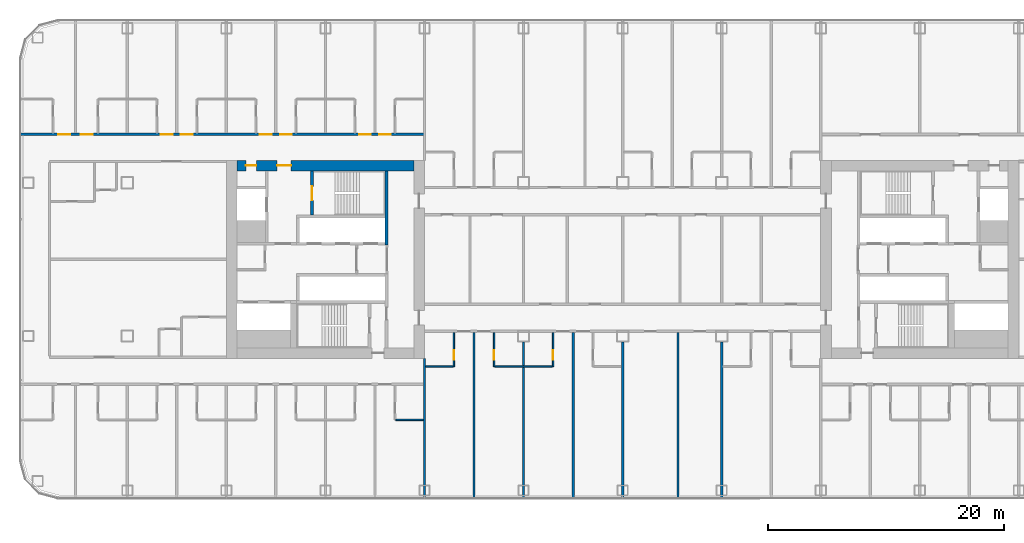
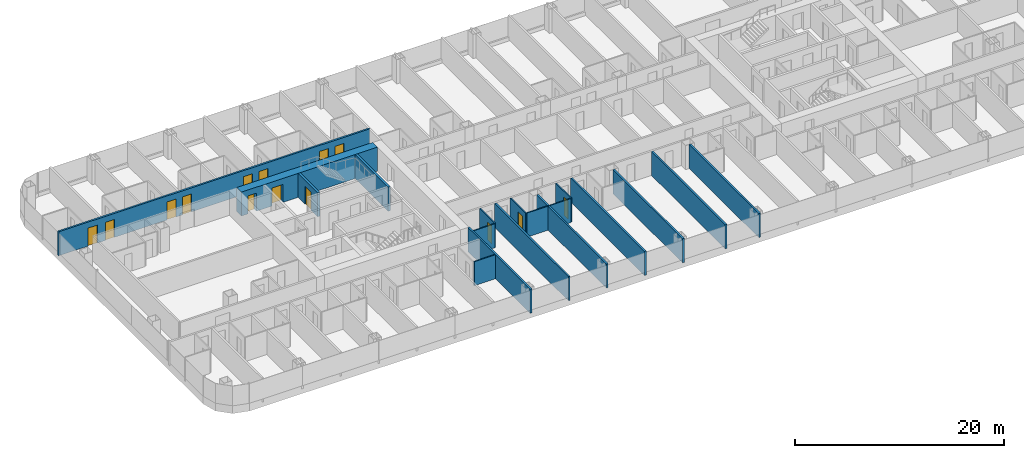
# One storey, part 15 of 29: 17 walls, 14 doors, 14 openings.
"""IFC4 building model written with IfcOpenShell, lengths in metres."""

from ifc_helpers import new_model, si_unit, direction, frame, frame_2d, origin, place, context, subcontext, project, spatial, rectangle, extrude, material, layer, layer_set, type_object, element, fill, save


model = new_model("IFC4")

# Units and contexts
model_context = context("Model", 3, precision=1e-05, world=origin(), true_north=direction((0.0, 1.0)))
body_context = subcontext(model_context, "Body", "Model", "MODEL_VIEW")
ifc_project = project(units=[si_unit("LENGTHUNIT", "METRE"), si_unit("AREAUNIT", "SQUARE_METRE"), si_unit("VOLUMEUNIT", "CUBIC_METRE"), si_unit("PLANEANGLEUNIT", "RADIAN"), si_unit("MASSUNIT", "GRAM", prefix="KILO")], contexts=[model_context])

# Site, building, storey
site_placement = place(None, origin())
site = spatial("IfcSite", under=ifc_project, at=site_placement, CompositionType="ELEMENT")
building_placement = place(site_placement, origin())
building = spatial("IfcBuilding", under=site, at=building_placement, Name="Hakoniwa Tower and Hamabe Station Hall", CompositionType="ELEMENT")
storey_placement = place(building_placement, frame((0.0, 0.0, 55.0)))
storey = spatial("IfcBuildingStorey", under=building, at=storey_placement, Name="L15", CompositionType="ELEMENT", Elevation=55.0)

# Walls
ifc_material_1 = material(Name="Gypsum board partition", Category="gypsum")
ifc_layer_1 = layer(ifc_material_1, 0.125)
ifc_layer_set_1 = layer_set([ifc_layer_1], Name="Bathroom Partition 125")
wall_type_1 = type_object("IfcWallType", Name="Bathroom Partition 125", PredefinedType="PARTITIONING", material=ifc_layer_set_1)
wall_1_placement = place(storey_placement, frame((-19.237548828125, -13.60009765625, 0.0), z_axis=(0.0, 0.0, 1.0), x_axis=(1.0, 0.0, 0.0)))
element("IfcWall", 1, at=wall_1_placement, inside=storey, type_object=wall_type_1, Name="GW-L15-005", PredefinedType="PARTITIONING", context=body_context, shape_type="SweptSolid", body=[
    extrude(rectangle(XDim=2.337646484375, YDim=0.125, at=frame_2d((1.1689453125, 0.0))), origin(), (0.0, 0.0, 1.0), 2.800048828125),
])
wall_2_placement = place(storey_placement, frame((-16.699951171875, -9.10009765625, 0.0), z_axis=(0.0, 0.0, 1.0), x_axis=(1.0, 0.0, 0.0)))
element("IfcWall", 2, at=wall_2_placement, inside=storey, type_object=wall_type_1, Name="GW-L15-013", PredefinedType="PARTITIONING", context=body_context, shape_type="SweptSolid", body=[
    extrude(rectangle(XDim=2.33740234375, YDim=0.125, at=frame_2d((1.168701171875, 0.0))), origin(), (0.0, 0.0, 1.0), 2.800048828125),
])
wall_3_placement = place(storey_placement, frame((-10.83740234375, -9.10009765625, 0.0), z_axis=(0.0, 0.0, 1.0), x_axis=(1.0, 0.0, 0.0)))
element("IfcWall", 3, at=wall_3_placement, inside=storey, type_object=wall_type_1, Name="GW-L15-014", PredefinedType="PARTITIONING", context=body_context, shape_type="SweptSolid", body=[
    extrude(rectangle(XDim=4.875, YDim=0.125, at=frame_2d((2.4375, 0.0))), origin(), (0.0, 0.0, 1.0), 2.800048828125),
])

# Wall, opening, door
wall_4_placement = place(storey_placement, frame((-14.300048828125, -9.10009765625, 0.0), z_axis=(0.0, 0.0, 1.0), x_axis=(0.0, 1.0, 0.0)))
wall_4 = element("IfcWall", 4, at=wall_4_placement, inside=storey, type_object=wall_type_1, Name="GW-L15-084", PredefinedType="PARTITIONING", context=body_context, shape_type="SweptSolid", body=[
    extrude(rectangle(XDim=2.900146484375, YDim=0.125, at=frame_2d((1.4501953125, 0.0))), origin(), (0.0, 0.0, 1.0), 2.800048828125),
])
opening_1_placement = place(wall_4_placement, frame((0.60009765625, 0.0, 0.0)))
opening_1 = element("IfcOpeningElement", 5, at=opening_1_placement, cuts=wall_4, Name="Opening GD-G1B2-83", PredefinedType="OPENING", context=body_context, shape_type="SweptSolid", body=[
    extrude(rectangle(XDim=0.800048828125, YDim=2.10009765625, at=frame_2d((0.39990234375, 1.050048828125))), frame((0.0, 0.072509765625, 0.0), z_axis=(0.0, -1.0, 0.0), x_axis=(1.0, 0.0, 0.0)), (0.0, 0.0, 1.0), 0.14501953125),
])
ifc_material_2 = material(Name="Timber door leaf", Category="wood")
door_type_1 = type_object("IfcDoorType", Name="Bathroom Door 800", OperationType="SINGLE_SWING_LEFT", PredefinedType="DOOR", material=ifc_material_2)
door_1_placement = place(opening_1_placement, origin())
door_1 = element("IfcDoor", 6, at=door_1_placement, inside=storey, type_object=door_type_1, Name="Door GD-G1B2-83", OperationType="SINGLE_SWING_RIGHT", OverallHeight=2.10009765625, OverallWidth=0.800048828125, PredefinedType="DOOR", context=body_context, shape_type="SweptSolid", body=[
    extrude(rectangle(XDim=0.800048828125, YDim=2.10009765625, at=frame_2d((0.39990234375, 1.050048828125))), frame((0.0, 0.02490234375, 0.0), z_axis=(0.0, -1.0, 0.0), x_axis=(1.0, 0.0, 0.0)), (0.0, 0.0, 1.0), 0.050048828125),
])
fill(opening_1, door_1)

wall_5_placement = place(storey_placement, frame((-10.89990234375, -9.10009765625, 0.0), z_axis=(0.0, 0.0, 1.0), x_axis=(0.0, 1.0, 0.0)))
wall_5 = element("IfcWall", 7, at=wall_5_placement, inside=storey, type_object=wall_type_1, Name="GW-L15-089", PredefinedType="PARTITIONING", context=body_context, shape_type="SweptSolid", body=[
    extrude(rectangle(XDim=2.900146484375, YDim=0.125, at=frame_2d((1.4501953125, 0.0))), origin(), (0.0, 0.0, 1.0), 2.800048828125),
])
opening_2_placement = place(wall_5_placement, frame((0.60009765625, 0.0, 0.0)))
opening_2 = element("IfcOpeningElement", 8, at=opening_2_placement, cuts=wall_5, Name="Opening GD-G1B2-85", PredefinedType="OPENING", context=body_context, shape_type="SweptSolid", body=[
    extrude(rectangle(XDim=0.800048828125, YDim=2.10009765625, at=frame_2d((0.39990234375, 1.050048828125))), frame((0.0, 0.072509765625, 0.0), z_axis=(0.0, -1.0, 0.0), x_axis=(1.0, 0.0, 0.0)), (0.0, 0.0, 1.0), 0.14501953125),
])
door_2_placement = place(opening_2_placement, origin())
door_2 = element("IfcDoor", 9, at=door_2_placement, inside=storey, type_object=door_type_1, Name="Door GD-G1B2-85", OperationType="SINGLE_SWING_LEFT", OverallHeight=2.10009765625, OverallWidth=0.800048828125, PredefinedType="DOOR", context=body_context, shape_type="SweptSolid", body=[
    extrude(rectangle(XDim=0.800048828125, YDim=2.10009765625, at=frame_2d((0.39990234375, 1.050048828125))), frame((0.0, 0.02490234375, 0.0), z_axis=(0.0, -1.0, 0.0), x_axis=(1.0, 0.0, 0.0)), (0.0, 0.0, 1.0), 0.050048828125),
])
fill(opening_2, door_2)

wall_6_placement = place(storey_placement, frame((-5.89990234375, -9.10009765625, 0.0), z_axis=(0.0, 0.0, 1.0), x_axis=(0.0, 1.0, 0.0)))
wall_6 = element("IfcWall", 10, at=wall_6_placement, inside=storey, type_object=wall_type_1, Name="GW-L15-094", PredefinedType="PARTITIONING", context=body_context, shape_type="SweptSolid", body=[
    extrude(rectangle(XDim=2.900146484375, YDim=0.125, at=frame_2d((1.4501953125, 0.0))), origin(), (0.0, 0.0, 1.0), 2.800048828125),
])
opening_3_placement = place(wall_6_placement, frame((0.60009765625, 0.0, 0.0)))
opening_3 = element("IfcOpeningElement", 11, at=opening_3_placement, cuts=wall_6, Name="Opening GD-G1B2-87", PredefinedType="OPENING", context=body_context, shape_type="SweptSolid", body=[
    extrude(rectangle(XDim=0.800048828125, YDim=2.10009765625, at=frame_2d((0.39990234375, 1.050048828125))), frame((0.0, 0.072509765625, 0.0), z_axis=(0.0, -1.0, 0.0), x_axis=(1.0, 0.0, 0.0)), (0.0, 0.0, 1.0), 0.14501953125),
])
door_3_placement = place(opening_3_placement, origin())
door_3 = element("IfcDoor", 12, at=door_3_placement, inside=storey, type_object=door_type_1, Name="Door GD-G1B2-87", OperationType="SINGLE_SWING_RIGHT", OverallHeight=2.10009765625, OverallWidth=0.800048828125, PredefinedType="DOOR", context=body_context, shape_type="SweptSolid", body=[
    extrude(rectangle(XDim=0.800048828125, YDim=2.10009765625, at=frame_2d((0.39990234375, 1.050048828125))), frame((0.0, 0.02490234375, 0.0), z_axis=(0.0, -1.0, 0.0), x_axis=(1.0, 0.0, 0.0)), (0.0, 0.0, 1.0), 0.050048828125),
])
fill(opening_3, door_3)

# Wall, openings, doors
ifc_material_3 = material(Name="Concrete C80", Category="concrete")
ifc_layer_2 = layer(ifc_material_3, 0.89990234375)
ifc_layer_set_2 = layer_set([ifc_layer_2], Name="CORE WALL 900 C80")
wall_type_2 = type_object("IfcWallType", Name="CORE WALL 900 C80", PredefinedType="SHEAR", material=ifc_layer_set_2)
wall_7_placement = place(storey_placement, frame((-32.699951171875, 7.949951171875, 0.0), z_axis=(0.0, 0.0, 1.0), x_axis=(1.0, 0.0, 0.0)))
wall_7 = element("IfcWall", 13, at=wall_7_placement, inside=storey, type_object=wall_type_2, Name="Core wall NORTH west", PredefinedType="SHEAR", context=body_context, shape_type="SweptSolid", body=[
    extrude(rectangle(XDim=15.0, YDim=0.89990234375, at=frame_2d((7.5, 0.0))), origin(), (0.0, 0.0, 1.0), 2.800048828125),
])
opening_4_placement = place(wall_7_placement, frame((3.39990234375, 0.0, 0.0)))
opening_4 = element("IfcOpeningElement", 14, at=opening_4_placement, cuts=wall_7, Name="Opening CD-W-FN1-12", PredefinedType="OPENING", context=body_context, shape_type="SweptSolid", body=[
    extrude(rectangle(XDim=1.199951171875, YDim=2.10009765625, at=frame_2d((0.60009765625, 1.050048828125))), frame((0.0, 0.4599609375, 0.0), z_axis=(0.0, -1.0, 0.0), x_axis=(1.0, 0.0, 0.0)), (0.0, 0.0, 1.0), 0.919921875),
])
opening_5_placement = place(wall_7_placement, frame((0.75, 0.0, 0.0)))
opening_5 = element("IfcOpeningElement", 15, at=opening_5_placement, cuts=wall_7, Name="Opening CD-W-FN2-9", PredefinedType="OPENING", context=body_context, shape_type="SweptSolid", body=[
    extrude(rectangle(XDim=0.89990234375, YDim=2.10009765625, at=frame_2d((0.449951171875, 1.050048828125))), frame((0.0, 0.4599609375, 0.0), z_axis=(0.0, -1.0, 0.0), x_axis=(1.0, 0.0, 0.0)), (0.0, 0.0, 1.0), 0.919921875),
])
ifc_material_4 = material(Name="Steel fire door", Category="steel")
door_type_2 = type_object("IfcDoorType", Name="CORE DOOR 1200 FD60", OperationType="DOUBLE_DOOR_SINGLE_SWING", PredefinedType="DOOR", material=ifc_material_4)
door_4_placement = place(opening_4_placement, origin())
door_4 = element("IfcDoor", 16, at=door_4_placement, inside=storey, type_object=door_type_2, Name="Stair vestibule door to the fire-fighting lobby", OperationType="DOUBLE_DOOR_SINGLE_SWING", OverallHeight=2.10009765625, OverallWidth=1.199951171875, PredefinedType="DOOR", context=body_context, shape_type="SweptSolid", body=[
    extrude(rectangle(XDim=1.199951171875, YDim=2.10009765625, at=frame_2d((0.60009765625, 1.050048828125))), frame((0.0, 0.02490234375, 0.0), z_axis=(0.0, -1.0, 0.0), x_axis=(1.0, 0.0, 0.0)), (0.0, 0.0, 1.0), 0.050048828125),
])
fill(opening_4, door_4)
ifc_material_5 = material(Name="Steel fire door", Category="steel")
door_type_3 = type_object("IfcDoorType", Name="CORE DOOR 900 FD30", OperationType="NOTDEFINED", PredefinedType="DOOR", material=ifc_material_5)
door_5_placement = place(opening_5_placement, origin())
door_5 = element("IfcDoor", 17, at=door_5_placement, inside=storey, type_object=door_type_3, Name="Riser access door", OperationType="SINGLE_SWING_RIGHT", OverallHeight=2.10009765625, OverallWidth=0.89990234375, PredefinedType="DOOR", context=body_context, shape_type="SweptSolid", body=[
    extrude(rectangle(XDim=0.89990234375, YDim=2.10009765625, at=frame_2d((0.449951171875, 1.050048828125))), frame((0.0, 0.02490234375, 0.0), z_axis=(0.0, -1.0, 0.0), x_axis=(1.0, 0.0, 0.0)), (0.0, 0.0, 1.0), 0.050048828125),
])
fill(opening_5, door_5)

# Wall
ifc_material_6 = material(Name="Concrete C80", Category="concrete")
ifc_layer_3 = layer(ifc_material_6, 0.25)
ifc_layer_set_3 = layer_set([ifc_layer_3], Name="CORE WEB WALL 250 C80")
wall_type_3 = type_object("IfcWallType", Name="CORE WEB WALL 250 C80", PredefinedType="SHEAR", material=ifc_layer_set_3)
wall_8_placement = place(storey_placement, frame((-20.02490234375, 1.199951171875, 0.0), z_axis=(0.0, 0.0, 1.0), x_axis=(0.0, 1.0, 0.0)))
element("IfcWall", 18, at=wall_8_placement, inside=storey, type_object=wall_type_3, Name="Core wall W1N west", PredefinedType="SHEAR", context=body_context, shape_type="SweptSolid", body=[
    extrude(rectangle(XDim=6.300048828125, YDim=0.25, at=frame_2d((3.14990234375, 0.0))), origin(), (0.0, 0.0, 1.0), 2.800048828125),
])

# Wall, opening, door
wall_9_placement = place(storey_placement, frame((-26.324951171875, 3.75, 0.0), z_axis=(0.0, 0.0, 1.0), x_axis=(0.0, 1.0, 0.0)))
wall_9 = element("IfcWall", 19, at=wall_9_placement, inside=storey, type_object=wall_type_3, Name="Core wall NSE west", PredefinedType="SHEAR", context=body_context, shape_type="SweptSolid", body=[
    extrude(rectangle(XDim=3.75, YDim=0.25, at=frame_2d((1.875, 0.0))), origin(), (0.0, 0.0, 1.0), 2.800048828125),
])
opening_6_placement = place(wall_9_placement, frame((1.25, 0.0, 0.0)))
opening_6 = element("IfcOpeningElement", 20, at=opening_6_placement, cuts=wall_9, Name="Opening CD-W-SN-12", PredefinedType="OPENING", context=body_context, shape_type="SweptSolid", body=[
    extrude(rectangle(XDim=1.199951171875, YDim=2.10009765625, at=frame_2d((0.60009765625, 1.050048828125))), frame((0.0, 0.135009765625, 0.0), z_axis=(0.0, -1.0, 0.0), x_axis=(1.0, 0.0, 0.0)), (0.0, 0.0, 1.0), 0.27001953125),
])
door_6_placement = place(opening_6_placement, origin())
door_6 = element("IfcDoor", 21, at=door_6_placement, inside=storey, type_object=door_type_2, Name="Escape stair door", OperationType="DOUBLE_DOOR_SINGLE_SWING", OverallHeight=2.10009765625, OverallWidth=1.199951171875, PredefinedType="DOOR", context=body_context, shape_type="SweptSolid", body=[
    extrude(rectangle(XDim=1.199951171875, YDim=2.10009765625, at=frame_2d((0.60009765625, 1.050048828125))), frame((0.0, 0.02490234375, 0.0), z_axis=(0.0, -1.0, 0.0), x_axis=(1.0, 0.0, 0.0)), (0.0, 0.0, 1.0), 0.050048828125),
])
fill(opening_6, door_6)

# Wall, openings, doors
ifc_material_7 = material(Name="Fire-rated gypsum board partition", Category="gypsum")
ifc_layer_4 = layer(ifc_material_7, 0.199951171875)
ifc_layer_set_4 = layer_set([ifc_layer_4], Name="Corridor Wall 200")
wall_type_4 = type_object("IfcWallType", Name="Corridor Wall 200", PredefinedType="PARTITIONING", material=ifc_layer_set_4)
wall_10_placement = place(storey_placement, frame((-51.10009765625, 10.60009765625, 0.0), z_axis=(0.0, 0.0, 1.0), x_axis=(1.0, 0.0, 0.0)))
wall_10 = element("IfcWall", 22, at=wall_10_placement, inside=storey, type_object=wall_type_4, Name="GW-L15-040", PredefinedType="PARTITIONING", context=body_context, shape_type="SweptSolid", body=[
    extrude(rectangle(XDim=34.300048828125, YDim=0.199951171875, at=frame_2d((17.14990234375, 0.0))), origin(), (0.0, 0.0, 1.0), 2.800048828125),
])
opening_7_placement = place(wall_10_placement, frame((3.25, 0.0, 0.0)))
opening_7 = element("IfcOpeningElement", 23, at=opening_7_placement, cuts=wall_10, Name="Opening GD-G1B2-55", PredefinedType="OPENING", context=body_context, shape_type="SweptSolid", body=[
    extrude(rectangle(XDim=1.0, YDim=2.10009765625, at=frame_2d((0.5, 1.050048828125))), frame((0.0, 0.10986328125, 0.0), z_axis=(0.0, -1.0, 0.0), x_axis=(1.0, 0.0, 0.0)), (0.0, 0.0, 1.0), 0.219970703125),
])
opening_8_placement = place(wall_10_placement, frame((5.14990234375, 0.0, 0.0)))
opening_8 = element("IfcOpeningElement", 24, at=opening_8_placement, cuts=wall_10, Name="Opening GD-G1B2-56", PredefinedType="OPENING", context=body_context, shape_type="SweptSolid", body=[
    extrude(rectangle(XDim=1.0, YDim=2.10009765625, at=frame_2d((0.5, 1.050048828125))), frame((0.0, 0.10986328125, 0.0), z_axis=(0.0, -1.0, 0.0), x_axis=(1.0, 0.0, 0.0)), (0.0, 0.0, 1.0), 0.219970703125),
])
opening_9_placement = place(wall_10_placement, frame((11.949951171875, 0.0, 0.0)))
opening_9 = element("IfcOpeningElement", 25, at=opening_9_placement, cuts=wall_10, Name="Opening GD-G1B2-57", PredefinedType="OPENING", context=body_context, shape_type="SweptSolid", body=[
    extrude(rectangle(XDim=1.0, YDim=2.10009765625, at=frame_2d((0.5, 1.050048828125))), frame((0.0, 0.10986328125, 0.0), z_axis=(0.0, -1.0, 0.0), x_axis=(1.0, 0.0, 0.0)), (0.0, 0.0, 1.0), 0.219970703125),
])
opening_10_placement = place(wall_10_placement, frame((13.64990234375, 0.0, 0.0)))
opening_10 = element("IfcOpeningElement", 26, at=opening_10_placement, cuts=wall_10, Name="Opening GD-G1B2-58", PredefinedType="OPENING", context=body_context, shape_type="SweptSolid", body=[
    extrude(rectangle(XDim=1.0, YDim=2.10009765625, at=frame_2d((0.5, 1.050048828125))), frame((0.0, 0.10986328125, 0.0), z_axis=(0.0, -1.0, 0.0), x_axis=(1.0, 0.0, 0.0)), (0.0, 0.0, 1.0), 0.219970703125),
])
opening_11_placement = place(wall_10_placement, frame((20.35009765625, 0.0, 0.0)))
opening_11 = element("IfcOpeningElement", 27, at=opening_11_placement, cuts=wall_10, Name="Opening GD-G1B2-59", PredefinedType="OPENING", context=body_context, shape_type="SweptSolid", body=[
    extrude(rectangle(XDim=1.0, YDim=2.10009765625, at=frame_2d((0.5, 1.050048828125))), frame((0.0, 0.10986328125, 0.0), z_axis=(0.0, -1.0, 0.0), x_axis=(1.0, 0.0, 0.0)), (0.0, 0.0, 1.0), 0.219970703125),
])
opening_12_placement = place(wall_10_placement, frame((22.050048828125, 0.0, 0.0)))
opening_12 = element("IfcOpeningElement", 28, at=opening_12_placement, cuts=wall_10, Name="Opening GD-G1B2-60", PredefinedType="OPENING", context=body_context, shape_type="SweptSolid", body=[
    extrude(rectangle(XDim=1.0, YDim=2.10009765625, at=frame_2d((0.5, 1.050048828125))), frame((0.0, 0.10986328125, 0.0), z_axis=(0.0, -1.0, 0.0), x_axis=(1.0, 0.0, 0.0)), (0.0, 0.0, 1.0), 0.219970703125),
])
opening_13_placement = place(wall_10_placement, frame((28.75, 0.0, 0.0)))
opening_13 = element("IfcOpeningElement", 29, at=opening_13_placement, cuts=wall_10, Name="Opening GD-G1B2-61", PredefinedType="OPENING", context=body_context, shape_type="SweptSolid", body=[
    extrude(rectangle(XDim=1.0, YDim=2.10009765625, at=frame_2d((0.5, 1.050048828125))), frame((0.0, 0.10986328125, 0.0), z_axis=(0.0, -1.0, 0.0), x_axis=(1.0, 0.0, 0.0)), (0.0, 0.0, 1.0), 0.219970703125),
])
opening_14_placement = place(wall_10_placement, frame((30.449951171875, 0.0, 0.0)))
opening_14 = element("IfcOpeningElement", 30, at=opening_14_placement, cuts=wall_10, Name="Opening GD-G1B2-62", PredefinedType="OPENING", context=body_context, shape_type="SweptSolid", body=[
    extrude(rectangle(XDim=1.0, YDim=2.10009765625, at=frame_2d((0.5, 1.050048828125))), frame((0.0, 0.10986328125, 0.0), z_axis=(0.0, -1.0, 0.0), x_axis=(1.0, 0.0, 0.0)), (0.0, 0.0, 1.0), 0.219970703125),
])
ifc_material_8 = material(Name="Timber door leaf", Category="wood")
door_type_4 = type_object("IfcDoorType", Name="Guest Entrance Door 1000", OperationType="SINGLE_SWING_LEFT", PredefinedType="DOOR", material=ifc_material_8)
door_7_placement = place(opening_7_placement, origin())
door_7 = element("IfcDoor", 31, at=door_7_placement, inside=storey, type_object=door_type_4, Name="Door GD-G1B2-55", OperationType="SINGLE_SWING_LEFT", OverallHeight=2.10009765625, OverallWidth=1.0, PredefinedType="DOOR", context=body_context, shape_type="SweptSolid", body=[
    extrude(rectangle(XDim=1.0, YDim=2.10009765625, at=frame_2d((0.5, 1.050048828125))), frame((0.0, 0.02490234375, 0.0), z_axis=(0.0, -1.0, 0.0), x_axis=(1.0, 0.0, 0.0)), (0.0, 0.0, 1.0), 0.050048828125),
])
fill(opening_7, door_7)
door_8_placement = place(opening_8_placement, origin())
door_8 = element("IfcDoor", 32, at=door_8_placement, inside=storey, type_object=door_type_4, Name="Door GD-G1B2-56", OperationType="SINGLE_SWING_RIGHT", OverallHeight=2.10009765625, OverallWidth=1.0, PredefinedType="DOOR", context=body_context, shape_type="SweptSolid", body=[
    extrude(rectangle(XDim=1.0, YDim=2.10009765625, at=frame_2d((0.5, 1.050048828125))), frame((0.0, 0.02490234375, 0.0), z_axis=(0.0, -1.0, 0.0), x_axis=(1.0, 0.0, 0.0)), (0.0, 0.0, 1.0), 0.050048828125),
])
fill(opening_8, door_8)
door_9_placement = place(opening_9_placement, origin())
door_9 = element("IfcDoor", 33, at=door_9_placement, inside=storey, type_object=door_type_4, Name="Door GD-G1B2-57", OperationType="SINGLE_SWING_LEFT", OverallHeight=2.10009765625, OverallWidth=1.0, PredefinedType="DOOR", context=body_context, shape_type="SweptSolid", body=[
    extrude(rectangle(XDim=1.0, YDim=2.10009765625, at=frame_2d((0.5, 1.050048828125))), frame((0.0, 0.02490234375, 0.0), z_axis=(0.0, -1.0, 0.0), x_axis=(1.0, 0.0, 0.0)), (0.0, 0.0, 1.0), 0.050048828125),
])
fill(opening_9, door_9)
door_10_placement = place(opening_10_placement, origin())
door_10 = element("IfcDoor", 34, at=door_10_placement, inside=storey, type_object=door_type_4, Name="Door GD-G1B2-58", OperationType="SINGLE_SWING_RIGHT", OverallHeight=2.10009765625, OverallWidth=1.0, PredefinedType="DOOR", context=body_context, shape_type="SweptSolid", body=[
    extrude(rectangle(XDim=1.0, YDim=2.10009765625, at=frame_2d((0.5, 1.050048828125))), frame((0.0, 0.02490234375, 0.0), z_axis=(0.0, -1.0, 0.0), x_axis=(1.0, 0.0, 0.0)), (0.0, 0.0, 1.0), 0.050048828125),
])
fill(opening_10, door_10)
door_11_placement = place(opening_11_placement, origin())
door_11 = element("IfcDoor", 35, at=door_11_placement, inside=storey, type_object=door_type_4, Name="Door GD-G1B2-59", OperationType="SINGLE_SWING_LEFT", OverallHeight=2.10009765625, OverallWidth=1.0, PredefinedType="DOOR", context=body_context, shape_type="SweptSolid", body=[
    extrude(rectangle(XDim=1.0, YDim=2.10009765625, at=frame_2d((0.5, 1.050048828125))), frame((0.0, 0.02490234375, 0.0), z_axis=(0.0, -1.0, 0.0), x_axis=(1.0, 0.0, 0.0)), (0.0, 0.0, 1.0), 0.050048828125),
])
fill(opening_11, door_11)
door_12_placement = place(opening_12_placement, origin())
door_12 = element("IfcDoor", 36, at=door_12_placement, inside=storey, type_object=door_type_4, Name="Door GD-G1B2-60", OperationType="SINGLE_SWING_LEFT", OverallHeight=2.10009765625, OverallWidth=1.0, PredefinedType="DOOR", context=body_context, shape_type="SweptSolid", body=[
    extrude(rectangle(XDim=1.0, YDim=2.10009765625, at=frame_2d((0.5, 1.050048828125))), frame((0.0, 0.02490234375, 0.0), z_axis=(0.0, -1.0, 0.0), x_axis=(1.0, 0.0, 0.0)), (0.0, 0.0, 1.0), 0.050048828125),
])
fill(opening_12, door_12)
door_13_placement = place(opening_13_placement, origin())
door_13 = element("IfcDoor", 37, at=door_13_placement, inside=storey, type_object=door_type_4, Name="Door GD-G1B2-61", OperationType="SINGLE_SWING_RIGHT", OverallHeight=2.10009765625, OverallWidth=1.0, PredefinedType="DOOR", context=body_context, shape_type="SweptSolid", body=[
    extrude(rectangle(XDim=1.0, YDim=2.10009765625, at=frame_2d((0.5, 1.050048828125))), frame((0.0, 0.02490234375, 0.0), z_axis=(0.0, -1.0, 0.0), x_axis=(1.0, 0.0, 0.0)), (0.0, 0.0, 1.0), 0.050048828125),
])
fill(opening_13, door_13)
door_14_placement = place(opening_14_placement, origin())
door_14 = element("IfcDoor", 38, at=door_14_placement, inside=storey, type_object=door_type_4, Name="Door GD-G1B2-62", OperationType="SINGLE_SWING_LEFT", OverallHeight=2.10009765625, OverallWidth=1.0, PredefinedType="DOOR", context=body_context, shape_type="SweptSolid", body=[
    extrude(rectangle(XDim=1.0, YDim=2.10009765625, at=frame_2d((0.5, 1.050048828125))), frame((0.0, 0.02490234375, 0.0), z_axis=(0.0, -1.0, 0.0), x_axis=(1.0, 0.0, 0.0)), (0.0, 0.0, 1.0), 0.050048828125),
])
fill(opening_14, door_14)

# Walls
ifc_material_9 = material(Name="Fire-rated gypsum board partition", Category="gypsum")
ifc_layer_5 = layer(ifc_material_9, 0.199951171875)
ifc_layer_set_5 = layer_set([ifc_layer_5], Name="Party Wall 200")
wall_type_5 = type_object("IfcWallType", Name="Party Wall 200", PredefinedType="PARTITIONING", material=ifc_layer_set_5)
wall_11_placement = place(storey_placement, frame((-16.800048828125, -20.300048828125, 0.0), z_axis=(0.0, 0.0, 1.0), x_axis=(0.0, 1.0, 0.0)))
element("IfcWall", 39, at=wall_11_placement, inside=storey, type_object=wall_type_5, Name="GW-L15-082", PredefinedType="PARTITIONING", context=body_context, shape_type="SweptSolid", body=[
    extrude(rectangle(XDim=11.91015625, YDim=0.199951171875, at=frame_2d((5.955078125, 0.0))), origin(), (0.0, 0.0, 1.0), 2.800048828125),
])
wall_12_placement = place(storey_placement, frame((-12.60009765625, -20.300048828125, 0.0), z_axis=(0.0, 0.0, 1.0), x_axis=(0.0, 1.0, 0.0)))
element("IfcWall", 40, at=wall_12_placement, inside=storey, type_object=wall_type_5, Name="GW-L15-087", PredefinedType="PARTITIONING", context=body_context, shape_type="SweptSolid", body=[
    extrude(rectangle(XDim=14.10009765625, YDim=0.199951171875, at=frame_2d((7.050048828125, 0.0))), origin(), (0.0, 0.0, 1.0), 2.800048828125),
])
wall_13_placement = place(storey_placement, frame((-8.39990234375, -20.300048828125, 0.0), z_axis=(0.0, 0.0, 1.0), x_axis=(0.0, 1.0, 0.0)))
element("IfcWall", 41, at=wall_13_placement, inside=storey, type_object=wall_type_5, Name="GW-L15-091", PredefinedType="PARTITIONING", context=body_context, shape_type="SweptSolid", body=[
    extrude(rectangle(XDim=13.31005859375, YDim=0.199951171875, at=frame_2d((6.655029296875, 0.0))), origin(), (0.0, 0.0, 1.0), 2.800048828125),
])
wall_14_placement = place(storey_placement, frame((-4.199951171875, -20.300048828125, 0.0), z_axis=(0.0, 0.0, 1.0), x_axis=(0.0, 1.0, 0.0)))
element("IfcWall", 42, at=wall_14_placement, inside=storey, type_object=wall_type_5, Name="GW-L15-096", PredefinedType="PARTITIONING", context=body_context, shape_type="SweptSolid", body=[
    extrude(rectangle(XDim=14.10009765625, YDim=0.199951171875, at=frame_2d((7.050048828125, 0.0))), origin(), (0.0, 0.0, 1.0), 2.800048828125),
])
wall_15_placement = place(storey_placement, frame((0.0, -20.300048828125, 0.0), z_axis=(0.0, 0.0, 1.0), x_axis=(0.0, 1.0, 0.0)))
element("IfcWall", 43, at=wall_15_placement, inside=storey, type_object=wall_type_5, Name="GW-L15-099", PredefinedType="PARTITIONING", context=body_context, shape_type="SweptSolid", body=[
    extrude(rectangle(XDim=13.31005859375, YDim=0.199951171875, at=frame_2d((6.655029296875, 0.0))), origin(), (0.0, 0.0, 1.0), 2.800048828125),
])
wall_16_placement = place(storey_placement, frame((4.699951171875, -20.300048828125, 0.0), z_axis=(0.0, 0.0, 1.0), x_axis=(0.0, 1.0, 0.0)))
element("IfcWall", 44, at=wall_16_placement, inside=storey, type_object=wall_type_5, Name="GW-L15-104", PredefinedType="PARTITIONING", context=body_context, shape_type="SweptSolid", body=[
    extrude(rectangle(XDim=14.10009765625, YDim=0.199951171875, at=frame_2d((7.050048828125, 0.0))), origin(), (0.0, 0.0, 1.0), 2.800048828125),
])
wall_17_placement = place(storey_placement, frame((8.39990234375, -20.300048828125, 0.0), z_axis=(0.0, 0.0, 1.0), x_axis=(0.0, 1.0, 0.0)))
element("IfcWall", 45, at=wall_17_placement, inside=storey, type_object=wall_type_5, Name="GW-L15-107", PredefinedType="PARTITIONING", context=body_context, shape_type="SweptSolid", body=[
    extrude(rectangle(XDim=13.31005859375, YDim=0.199951171875, at=frame_2d((6.655029296875, 0.0))), origin(), (0.0, 0.0, 1.0), 2.800048828125),
])

save(model, "model.ifc")
